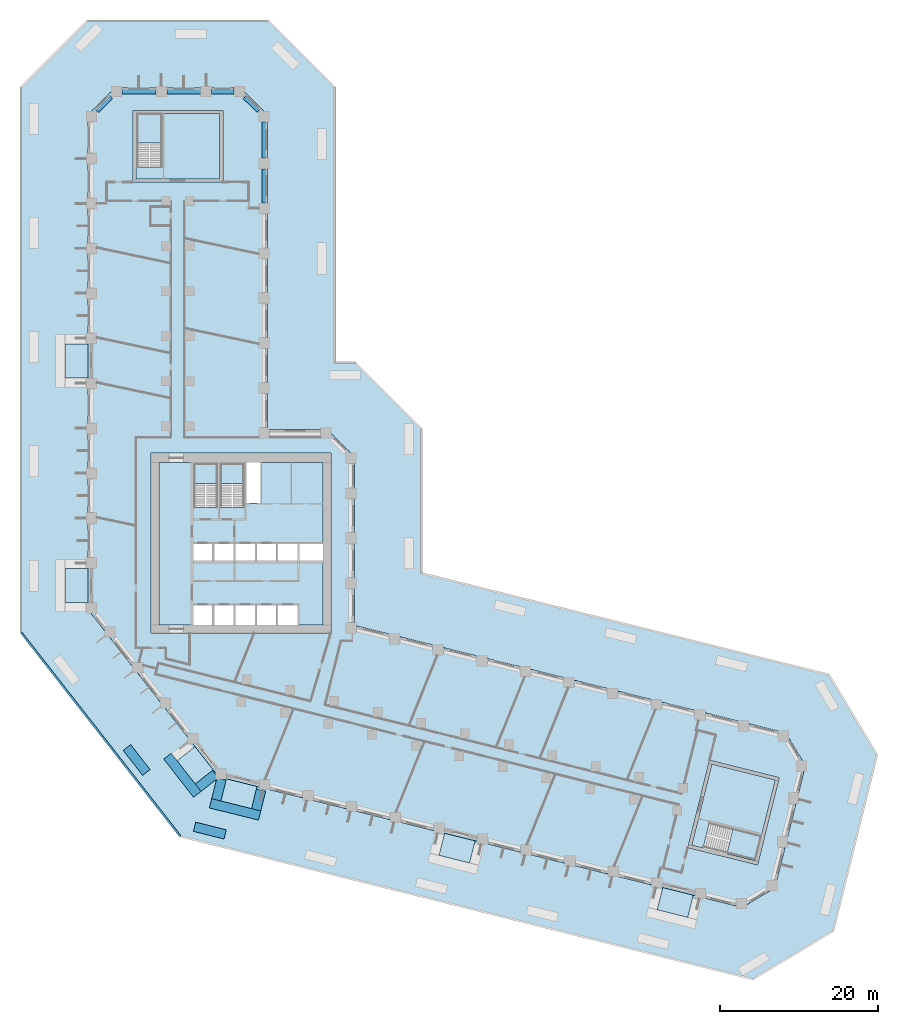
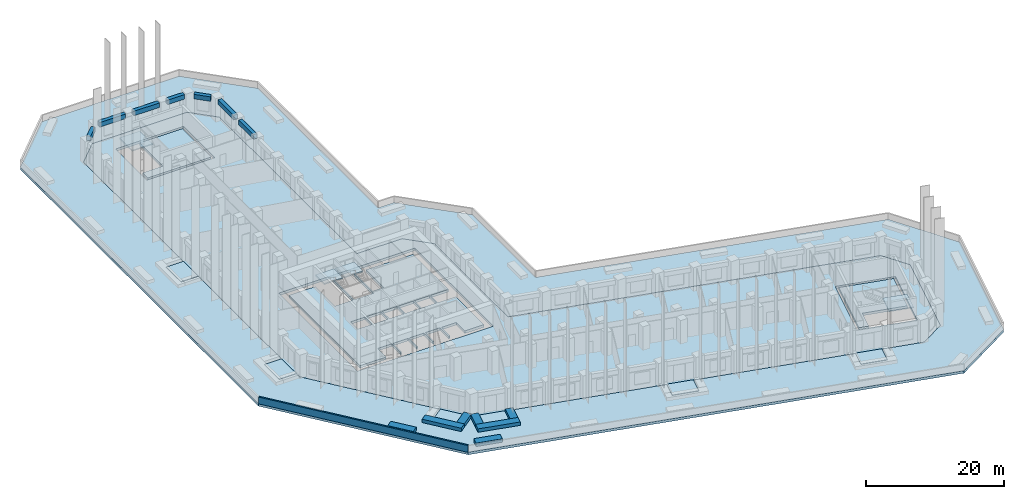
# One storey, part 2 of 13: 15 slabs, 8 walls, 7 beams, 4 elements without a shape of their own.
"""IFC4 building model written with IfcOpenShell, lengths in metres."""

from ifc_helpers import new_model, si_unit, direction, frame, frame_2d, origin, origin_2d, place, context, subcontext, project, spatial, polyline, rectangle, outline, extrude, material, layer, layer_set, material_profile, profile_set, type_object, element, aggregate, save


model = new_model("IFC4")

# Units and contexts
model_context = context("Model", 3, precision=1e-05, world=origin(), true_north=direction((0.0, 1.0)))
body_context = subcontext(model_context, "Body", "Model", "MODEL_VIEW")
ifc_project = project(units=[si_unit("LENGTHUNIT", "METRE"), si_unit("AREAUNIT", "SQUARE_METRE"), si_unit("VOLUMEUNIT", "CUBIC_METRE"), si_unit("PLANEANGLEUNIT", "RADIAN"), si_unit("MASSUNIT", "GRAM", prefix="KILO")], contexts=[model_context])

# Site, building, storey
site_placement = place(None, origin())
site = spatial("IfcSite", under=ifc_project, at=site_placement, CompositionType="ELEMENT")
building_placement = place(site_placement, origin())
building = spatial("IfcBuilding", under=site, at=building_placement, Name="Meshkara Civic Tower", CompositionType="ELEMENT")
storey_placement = place(building_placement, frame((0.0, 0.0, 33.0)))
storey = spatial("IfcBuildingStorey", under=building, at=storey_placement, Name="L06", CompositionType="ELEMENT", Elevation=33.0)

# Beams
ifc_material_1 = material(Name="Concrete C70", Category="concrete")
ifc_material_profile = material_profile(ifc_material_1, rectangle(XDim=0.60009765625, YDim=0.800048828125, at=origin_2d()))
ifc_profile_set = profile_set([ifc_material_profile], Name="Concrete C70")
beam_type = type_object("IfcBeamType", Name="Spandrel beam RC 600x800 C70", PredefinedType="BEAM", material=ifc_profile_set)
beam_1_placement = place(storey_placement, frame((22.35009765625, 68.64501953125, 3.5), z_axis=(0.0, 1.0, 0.0), x_axis=(-1.0, 0.0, 0.0)))
element("IfcBeam", 1, at=beam_1_placement, inside=storey, type_object=beam_type, Name="Spandrel beam AE05-AE06", PredefinedType="BEAM", context=body_context, shape_type="SweptSolid", body=[
    extrude(rectangle(XDim=0.60009765625, YDim=0.800048828125, at=origin_2d()), origin(), (0.0, 0.0, 1.0), 4.31005859375),
])
beam_2_placement = place(storey_placement, frame((22.35009765625, 74.344970703125, 3.5), z_axis=(0.0, 1.0, 0.0), x_axis=(-1.0, 0.0, 0.0)))
element("IfcBeam", 2, at=beam_2_placement, inside=storey, type_object=beam_type, Name="Spandrel beam AE06-AEE", PredefinedType="BEAM", context=body_context, shape_type="SweptSolid", body=[
    extrude(rectangle(XDim=0.60009765625, YDim=0.800048828125, at=origin_2d()), origin(), (0.0, 0.0, 1.0), 4.573974609375),
])
beam_3_placement = place(storey_placement, frame((21.653564453125, 80.310546875, 3.5), z_axis=(-0.707155737934, 0.70705782105, 0.0), x_axis=(-0.70705782105, -0.707155737934, 0.0)))
element("IfcBeam", 3, at=beam_3_placement, inside=storey, type_object=beam_type, Name="Spandrel beam AEE-ATiE", PredefinedType="BEAM", context=body_context, shape_type="SweptSolid", body=[
    extrude(rectangle(XDim=0.60009765625, YDim=0.800048828125, at=origin_2d()), origin(), (0.0, 0.0, 1.0), 2.493408203125),
])
beam_4_placement = place(storey_placement, frame((18.4990234375, 82.77001953125, 3.5), z_axis=(-1.0, 0.0, 0.0), x_axis=(0.0, -1.0, 0.0)))
element("IfcBeam", 4, at=beam_4_placement, inside=storey, type_object=beam_type, Name="Spandrel beam AT02-ATiE", PredefinedType="BEAM", context=body_context, shape_type="SweptSolid", body=[
    extrude(rectangle(XDim=0.60009765625, YDim=0.800048828125, at=origin_2d()), origin(), (0.0, 0.0, 1.0), 2.798095703125),
])
for number, where, z_axis, x_axis, name in (
    (5, (14.31103515625, 82.77001953125, 3.5), (-1.0, 0.0, 0.0), (0.0, -1.0, 0.0), "Spandrel beam AT01-AT02"),
    (6, (8.611083984375, 82.77001953125, 3.5), (-1.0, 0.0, 0.0), (0.0, -1.0, 0.0), "Spandrel beam AT00-AT01"),
):
    element("IfcBeam", number, at=place(storey_placement, frame(where, z_axis=z_axis, x_axis=x_axis)), inside=storey, type_object=beam_type, Name=name, PredefinedType="BEAM", context=body_context, shape_type="SweptSolid", body=[
        extrude(rectangle(XDim=0.60009765625, YDim=0.800048828125, at=origin_2d()), origin(), (0.0, 0.0, 1.0), 4.31005859375),
    ])
beam_5_placement = place(storey_placement, frame((2.909423828125, 82.073486328125, 3.5), z_axis=(-0.707106781187, -0.707106781187, 0.0), x_axis=(0.707106781187, -0.707106781187, 0.0)))
element("IfcBeam", 7, at=beam_5_placement, inside=storey, type_object=beam_type, Name="Spandrel beam AT00-ATo00", PredefinedType="BEAM", context=body_context, shape_type="SweptSolid", body=[
    extrude(rectangle(XDim=0.60009765625, YDim=0.800048828125, at=origin_2d()), origin(), (0.0, 0.0, 1.0), 2.4931640625),
])

# Slabs
ifc_material_2 = material(Name="Concrete C40/50", Category="concrete")
ifc_layer_1 = layer(ifc_material_2, 0.449951171875)
ifc_layer_set_1 = layer_set([ifc_layer_1], Name="Core floor slab 450 C40/50")
slab_type_1 = type_object("IfcSlabType", Name="Core floor slab 450 C40/50", PredefinedType="FLOOR", material=ifc_layer_set_1)
slab_1_placement = place(storey_placement, frame((0.0, 0.0, -0.449951171875)))
element("IfcSlab", 8, at=slab_1_placement, inside=storey, type_object=slab_type_1, Name="Core floor K", PredefinedType="FLOOR", context=body_context, shape_type="SweptSolid", body=[
    extrude(outline(polyline([(9.0, 35.699951171875), (13.39990234375, 35.699951171875), (13.39990234375, 30.00146484375), (16.5, 30.00146484375), (16.5, 35.699951171875), (16.699951171875, 35.699951171875), (16.699951171875, 30.00146484375), (19.89990234375, 30.00146484375), (19.89990234375, 35.699951171875), (20.10009765625, 35.699951171875), (20.10009765625, 30.574951171875), (21.925048828125, 30.574951171875), (21.925048828125, 35.699951171875), (29.800048828125, 35.699951171875), (29.800048828125, 25.39990234375), (26.800048828125, 25.39990234375), (26.800048828125, 23.300048828125), (29.800048828125, 23.300048828125), (29.800048828125, 15.10009765625), (26.60009765625, 15.10009765625), (26.60009765625, 17.60009765625), (24.10009765625, 17.60009765625), (24.10009765625, 15.10009765625), (23.89990234375, 15.10009765625), (23.89990234375, 17.60009765625), (21.39990234375, 17.60009765625), (21.39990234375, 15.10009765625), (21.199951171875, 15.10009765625), (21.199951171875, 17.60009765625), (18.699951171875, 17.60009765625), (18.699951171875, 15.10009765625), (18.5, 15.10009765625), (18.5, 17.60009765625), (16.0, 17.60009765625), (16.0, 15.10009765625), (15.800048828125, 15.10009765625), (15.800048828125, 17.60009765625), (13.39990234375, 17.60009765625), (13.39990234375, 15.10009765625), (9.0, 15.10009765625), (9.0, 35.699951171875)]), holes=[polyline([(13.39990234375, 25.39990234375), (13.39990234375, 23.300048828125), (15.800048828125, 23.300048828125), (15.800048828125, 25.39990234375), (13.39990234375, 25.39990234375)]), polyline([(18.5, 23.300048828125), (18.5, 25.39990234375), (16.0, 25.39990234375), (16.0, 23.300048828125), (18.5, 23.300048828125)]), polyline([(18.699951171875, 25.39990234375), (18.699951171875, 23.300048828125), (21.199951171875, 23.300048828125), (21.199951171875, 25.39990234375), (18.699951171875, 25.39990234375)]), polyline([(23.89990234375, 23.300048828125), (23.89990234375, 25.39990234375), (21.39990234375, 25.39990234375), (21.39990234375, 23.300048828125), (23.89990234375, 23.300048828125)]), polyline([(26.60009765625, 23.300048828125), (26.60009765625, 25.39990234375), (24.10009765625, 25.39990234375), (24.10009765625, 23.300048828125), (26.60009765625, 23.300048828125)])]), origin(), (0.0, 0.0, 1.0), 0.449951171875),
])
slab_2_placement = place(storey_placement, frame((0.0, 0.0, -0.449951171875)))
element("IfcSlab", 9, at=slab_2_placement, inside=storey, type_object=slab_type_1, Name="Core floor EA", PredefinedType="FLOOR", context=body_context, shape_type="SweptSolid", body=[
    extrude(outline(polyline([(16.699951171875, 71.669921875), (16.699951171875, 79.969970703125), (9.5, 79.969970703125), (9.5, 73.17138671875), (6.10009765625, 73.17138671875), (6.10009765625, 71.669921875), (16.699951171875, 71.669921875)])), origin(), (0.0, 0.0, 1.0), 0.449951171875),
])
slab_3_placement = place(storey_placement, frame((0.0, 0.0, -0.449951171875)))
element("IfcSlab", 10, at=slab_3_placement, inside=storey, type_object=slab_type_1, Name="Core floor EB", PredefinedType="FLOOR", context=body_context, shape_type="SweptSolid", body=[
    extrude(outline(polyline([(79.11181640625, -2.513671875), (87.165283203125, -4.521484375), (85.423583984375, -11.507568359375), (78.826904296875, -9.863037109375), (78.00439453125, -13.161865234375), (76.547607421875, -12.798583984375), (79.11181640625, -2.513671875)])), origin(), (0.0, 0.0, 1.0), 0.449951171875),
])

# Stair, slab
ifc_material_3 = material(Name="Precast concrete C40/50", Category="concrete")
stair_type_1 = type_object("IfcStairType", Name="Exit stair half-turn 24 risers precast", PredefinedType="HALF_TURN_STAIR", material=ifc_material_3)
stair_1_placement = place(storey_placement, origin())
stair_1 = element("IfcStair", 11, at=stair_1_placement, inside=storey, type_object=stair_type_1, Name="L06 exit stair 1", PredefinedType="HALF_TURN_STAIR")
ifc_material_4 = material(Name="Precast concrete C40/50", Category="concrete")
ifc_layer_2 = layer(ifc_material_4, 0.199951171875)
ifc_layer_set_2 = layer_set([ifc_layer_2], Name="Exit stair landing 200")
slab_type_2 = type_object("IfcSlabType", Name="Exit stair landing 200", PredefinedType="LANDING", material=ifc_layer_set_2)
slab_4_placement = place(storey_placement, frame((0.0, 0.0, 1.89990234375)))
slab_4 = element("IfcSlab", 12, at=slab_4_placement, type_object=slab_type_2, Name="ST1 landing 1", PredefinedType="LANDING", context=body_context, shape_type="SweptSolid", body=[
    extrude(outline(polyline([(16.5, 33.07861328125), (16.5, 35.699951171875), (13.39990234375, 35.699951171875), (13.39990234375, 33.07861328125), (16.5, 33.07861328125)])), origin(), (0.0, 0.0, 1.0), 0.2001953125),
])
aggregate(stair_1, [slab_4])

stair_2_placement = place(storey_placement, origin())
stair_2 = element("IfcStair", 13, at=stair_2_placement, inside=storey, type_object=stair_type_1, Name="L06 exit stair 2", PredefinedType="HALF_TURN_STAIR")
slab_5_placement = place(storey_placement, frame((0.0, 0.0, 1.89990234375)))
slab_5 = element("IfcSlab", 14, at=slab_5_placement, type_object=slab_type_2, Name="ST2 landing 1", PredefinedType="LANDING", context=body_context, shape_type="SweptSolid", body=[
    extrude(outline(polyline([(19.89990234375, 33.07861328125), (19.89990234375, 35.699951171875), (16.699951171875, 35.699951171875), (16.699951171875, 33.07861328125), (19.89990234375, 33.07861328125)])), origin(), (0.0, 0.0, 1.0), 0.2001953125),
])
aggregate(stair_2, [slab_5])

ifc_material_5 = material(Name="Precast concrete C40/50", Category="concrete")
stair_type_2 = type_object("IfcStairType", Name="Exit stair half-turn 24 risers 1500 precast", PredefinedType="HALF_TURN_STAIR", material=ifc_material_5)
stair_3_placement = place(storey_placement, origin())
stair_3 = element("IfcStair", 15, at=stair_3_placement, inside=storey, type_object=stair_type_2, Name="L06 exit stair A from B2", PredefinedType="HALF_TURN_STAIR")
slab_6_placement = place(storey_placement, frame((0.0, 0.0, 1.89990234375)))
slab_6 = element("IfcSlab", 16, at=slab_6_placement, type_object=slab_type_2, Name="ESA1 landing 1", PredefinedType="LANDING", context=body_context, shape_type="SweptSolid", body=[
    extrude(outline(polyline([(9.5, 76.24853515625), (9.5, 79.969970703125), (6.10009765625, 79.969970703125), (6.10009765625, 76.24853515625), (9.5, 76.24853515625)])), origin(), (0.0, 0.0, 1.0), 0.2001953125),
])
aggregate(stair_3, [slab_6])

stair_4_placement = place(storey_placement, origin())
stair_4 = element("IfcStair", 17, at=stair_4_placement, inside=storey, type_object=stair_type_2, Name="L06 exit stair B from B2", PredefinedType="HALF_TURN_STAIR")
slab_7_placement = place(storey_placement, frame((0.0, 0.0, 1.89990234375)))
slab_7 = element("IfcSlab", 18, at=slab_7_placement, type_object=slab_type_2, Name="ESB1 landing 1", PredefinedType="LANDING", context=body_context, shape_type="SweptSolid", body=[
    extrude(outline(polyline([(80.98974609375, -13.9072265625), (84.600830078125, -14.80810546875), (85.424072265625, -11.50830078125), (81.81298828125, -10.607421875), (80.98974609375, -13.9072265625)])), origin(), (0.0, 0.0, 1.0), 0.2001953125),
])
aggregate(stair_4, [slab_7])

# Slabs
ifc_material_6 = material(Name="Concrete C50", Category="concrete")
ifc_layer_3 = layer(ifc_material_6, 0.449951171875)
ifc_layer_set_3 = layer_set([ifc_layer_3], Name="Green roof slab 450 C50")
slab_type_3 = type_object("IfcSlabType", Name="Green roof slab 450 C50", PredefinedType="ROOF", material=ifc_layer_set_3)
slab_8_placement = place(storey_placement, frame((0.0, 0.0, -0.449951171875)))
element("IfcSlab", 19, at=slab_8_placement, inside=storey, type_object=slab_type_3, Name="Green roof slab L06", PredefinedType="ROOF", context=body_context, shape_type="SweptSolid", body=[
    extrude(outline(polyline([(33.922119140625, 48.449951171875), (42.35009765625, 40.02197265625), (42.35009765625, 21.7509765625), (93.97998046875, 8.876953125), (100.1201171875, -1.339111328125), (94.544921875, -23.697998046875), (84.327880859375, -29.8369140625), (11.6669921875, -11.720947265625), (-8.550048828125, 14.156005859375), (-8.550048828125, 83.342041015625), (-0.1220703125, 91.77001953125), (22.922119140625, 91.77001953125), (31.35009765625, 83.342041015625), (31.35009765625, 48.449951171875), (33.922119140625, 48.449951171875)]), holes=[polyline([(30.3798828125, 39.89990234375), (22.800048828125, 39.89990234375), (22.800048828125, 79.800048828125), (19.3798828125, 83.219970703125), (3.419921875, 83.219970703125), (0.0, 79.800048828125), (0.0, 17.10009765625), (16.592041015625, -4.136962890625), (82.9599609375, -20.68408203125), (87.10595703125, -18.193115234375), (90.967041015625, -2.70703125), (88.47607421875, 1.43798828125), (33.800048828125, 15.071044921875), (33.800048828125, 36.47998046875), (30.3798828125, 39.89990234375)])]), origin(), (0.0, 0.0, 1.0), 0.449951171875),
])
ifc_material_7 = material(Name="Concrete C50", Category="concrete")
ifc_layer_4 = layer(ifc_material_7, 0.449951171875)
ifc_layer_set_4 = layer_set([ifc_layer_4], Name="Post-tensioned flat slab 450 C50")
slab_type_4 = type_object("IfcSlabType", Name="Post-tensioned flat slab 450 C50", PredefinedType="FLOOR", material=ifc_layer_set_4)
slab_9_placement = place(storey_placement, frame((0.0, 0.0, -0.449951171875)))
element("IfcSlab", 20, at=slab_9_placement, inside=storey, type_object=slab_type_4, Name="Post-tensioned flat slab L06", PredefinedType="FLOOR", context=body_context, shape_type="SweptSolid", body=[
    extrude(outline(polyline([(87.10595703125, -18.193115234375), (82.9599609375, -20.68408203125), (16.592041015625, -4.136962890625), (0.0, 17.10009765625), (0.0, 79.800048828125), (3.419921875, 83.219970703125), (19.3798828125, 83.219970703125), (22.800048828125, 79.800048828125), (22.800048828125, 39.89990234375), (30.3798828125, 39.89990234375), (33.800048828125, 36.47998046875), (33.800048828125, 15.071044921875), (88.47607421875, 1.43798828125), (90.967041015625, -2.70703125), (87.10595703125, -18.193115234375)]), holes=[polyline([(84.89208984375, -15.2919921875), (87.64990234375, -4.22998046875), (78.821044921875, -2.029052734375), (76.06298828125, -13.090087890625), (84.89208984375, -15.2919921875)]), polyline([(8.0, 14.10009765625), (30.800048828125, 14.10009765625), (30.800048828125, 36.89990234375), (8.0, 36.89990234375), (8.0, 14.10009765625)]), polyline([(5.699951171875, 80.3701171875), (5.699951171875, 71.27001953125), (17.10009765625, 71.27001953125), (17.10009765625, 80.3701171875), (5.699951171875, 80.3701171875)])]), origin(), (0.0, 0.0, 1.0), 0.449951171875),
])
ifc_material_8 = material(Name="Granite paving on pedestals", Category="masonry")
ifc_layer_5 = layer(ifc_material_8, 0.06005859375)
ifc_layer_set_5 = layer_set([ifc_layer_5], Name="TERRACE PAVING 60")
slab_type_5 = type_object("IfcSlabType", Name="TERRACE PAVING 60", PredefinedType="ROOF", material=ifc_layer_set_5)
slab_10_placement = place(storey_placement, origin())
element("IfcSlab", 21, at=slab_10_placement, inside=storey, type_object=slab_type_5, Name="Terrace slab L06 paved pocket", PredefinedType="ROOF", context=body_context, shape_type="SweptSolid", body=[
    extrude(outline(polyline([(-2.89990234375, 17.955078125), (-2.89990234375, 22.2548828125), (0.0, 22.2548828125), (0.0, 17.955078125), (-2.89990234375, 17.955078125)])), origin(), (0.0, 0.0, 1.0), 0.06005859375),
])
slab_11_placement = place(storey_placement, origin())
element("IfcSlab", 22, at=slab_11_placement, inside=storey, type_object=slab_type_5, Name="Terrace slab L06 paved pocket", PredefinedType="ROOF", context=body_context, shape_type="SweptSolid", body=[
    extrude(outline(polyline([(-2.89990234375, 46.455078125), (-2.89990234375, 50.7548828125), (0.0, 50.7548828125), (0.0, 46.455078125), (-2.89990234375, 46.455078125)])), origin(), (0.0, 0.0, 1.0), 0.06005859375),
])
slab_12_placement = place(storey_placement, origin())
element("IfcSlab", 23, at=slab_12_placement, inside=storey, type_object=slab_type_5, Name="Terrace slab L06 paved pocket", PredefinedType="ROOF", context=body_context, shape_type="SweptSolid", body=[
    extrude(outline(polyline([(20.748291015625, -8.162109375), (16.864013671875, -7.193603515625), (17.5654296875, -4.379638671875), (21.44970703125, -5.34814453125), (20.748291015625, -8.162109375)])), origin(), (0.0, 0.0, 1.0), 0.06005859375),
])
slab_13_placement = place(storey_placement, origin())
element("IfcSlab", 24, at=slab_13_placement, inside=storey, type_object=slab_type_5, Name="Terrace slab L06 paved pocket", PredefinedType="ROOF", context=body_context, shape_type="SweptSolid", body=[
    extrude(outline(polyline([(76.05517578125, -21.951416015625), (72.1708984375, -20.98291015625), (72.87255859375, -18.1689453125), (76.7568359375, -19.137451171875), (76.05517578125, -21.951416015625)])), origin(), (0.0, 0.0, 1.0), 0.06005859375),
])
slab_14_placement = place(storey_placement, origin())
element("IfcSlab", 25, at=slab_14_placement, inside=storey, type_object=slab_type_5, Name="Terrace slab L06 paved pocket", PredefinedType="ROOF", context=body_context, shape_type="SweptSolid", body=[
    extrude(outline(polyline([(48.401123046875, -15.056396484375), (44.517822265625, -14.08837890625), (45.219482421875, -11.2744140625), (49.102783203125, -12.24267578125), (48.401123046875, -15.056396484375)])), origin(), (0.0, 0.0, 1.0), 0.06005859375),
])
slab_15_placement = place(storey_placement, origin())
element("IfcSlab", 26, at=slab_15_placement, inside=storey, type_object=slab_type_5, Name="Terrace slab L06 paved pocket", PredefinedType="ROOF", context=body_context, shape_type="SweptSolid", body=[
    extrude(outline(polyline([(13.6064453125, -5.02587890625), (11.306884765625, -2.082763671875), (13.59228515625, -0.29736328125), (15.8916015625, -3.240478515625), (13.6064453125, -5.02587890625)])), origin(), (0.0, 0.0, 1.0), 0.06005859375),
])

# Walls
ifc_material_9 = material(Name="Concrete C40", Category="concrete")
ifc_layer_6 = layer(ifc_material_9, 1.199951171875)
ifc_layer_set_6 = layer_set([ifc_layer_6], Name="PLANTING BED")
wall_type_1 = type_object("IfcWallType", Name="PLANTING BED", PredefinedType="SOLIDWALL", material=ifc_layer_set_6)
for number, where, z_axis, x_axis, name in (
    (27, (17.39990234375, -11.428955078125, 0.0), (0.0, 0.0, 1.0), (-0.970328930379, 0.241788682262, 0.0), "Planting bed"),
    (28, (7.416015625, -3.568115234375, 0.0), (0.0, 0.0, 1.0), (-0.615540980843, 0.78810487938, 0.0), "Planting bed"),
):
    element("IfcWall", number, at=place(storey_placement, frame(where, z_axis=z_axis, x_axis=x_axis)), inside=storey, type_object=wall_type_1, Name=name, PredefinedType="SOLIDWALL", context=body_context, shape_type="SweptSolid", body=[
        extrude(rectangle(XDim=3.99951171875, YDim=1.199951171875, at=frame_2d((1.999755859375, 0.0))), origin(), (0.0, 0.0, 1.0), 0.60009765625),
    ])
wall_1_placement = place(storey_placement, frame((10.094970703125, -1.507080078125, 0.0), z_axis=(0.0, 0.0, 1.0), x_axis=(0.615699645246, -0.787980930507, 0.0)))
element("IfcWall", 29, at=wall_1_placement, inside=storey, type_object=wall_type_1, Name="Planting bed", PredefinedType="SOLIDWALL", context=body_context, shape_type="SweptSolid", body=[
    extrude(rectangle(XDim=6.134765625, YDim=1.199951171875, at=frame_2d((3.0673828125, 0.0))), origin(), (0.0, 0.0, 1.0), 0.60009765625),
])
wall_2_placement = place(storey_placement, frame((16.15087890625, -3.800048828125, 0.0), z_axis=(0.0, 0.0, 1.0), x_axis=(-0.788040467637, -0.615623441209, 0.0)))
element("IfcWall", 30, at=wall_2_placement, inside=storey, type_object=wall_type_1, Name="Planting bed", PredefinedType="SOLIDWALL", context=body_context, shape_type="SweptSolid", body=[
    extrude(rectangle(XDim=2.759765625, YDim=1.199951171875, at=frame_2d((1.3798828125, 0.0))), origin(), (0.0, 0.0, 1.0), 0.60009765625),
])
wall_3_placement = place(storey_placement, frame((15.553955078125, -7.485107421875, 0.0), z_axis=(0.0, 0.0, 1.0), x_axis=(0.970270199838, -0.242024253549, 0.0)))
element("IfcWall", 31, at=wall_3_placement, inside=storey, type_object=wall_type_1, Name="Planting bed", PredefinedType="SOLIDWALL", context=body_context, shape_type="SweptSolid", body=[
    extrude(rectangle(XDim=6.403564453125, YDim=1.199951171875, at=frame_2d((3.20166015625, 0.0))), origin(), (0.0, 0.0, 1.0), 0.60009765625),
])
wall_4_placement = place(storey_placement, frame((16.93310546875, -4.43798828125, 0.0), z_axis=(0.0, 0.0, 1.0), x_axis=(-0.242044447499, -0.970265162435, 0.0)))
element("IfcWall", 32, at=wall_4_placement, inside=storey, type_object=wall_type_1, Name="Planting bed", PredefinedType="SOLIDWALL", context=body_context, shape_type="SweptSolid", body=[
    extrude(rectangle(XDim=2.690185546875, YDim=1.199951171875, at=frame_2d((1.34521484375, 0.0))), origin(), (0.0, 0.0, 1.0), 0.60009765625),
])
wall_5_placement = place(storey_placement, frame((21.950927734375, -5.81689453125, 0.0), z_axis=(0.0, 0.0, 1.0), x_axis=(-0.241931183719, -0.970293410441, 0.0)))
element("IfcWall", 33, at=wall_5_placement, inside=storey, type_object=wall_type_1, Name="Planting bed", PredefinedType="SOLIDWALL", context=body_context, shape_type="SweptSolid", body=[
    extrude(rectangle(XDim=2.566162109375, YDim=1.199951171875, at=frame_2d((1.283203125, 0.0))), origin(), (0.0, 0.0, 1.0), 0.60009765625),
])
ifc_material_10 = material(Name="Concrete C40", Category="concrete")
ifc_layer_7 = layer(ifc_material_10, 0.25)
ifc_layer_set_7 = layer_set([ifc_layer_7], Name="ROOF PARAPET 250")
wall_type_2 = type_object("IfcWallType", Name="ROOF PARAPET 250", PredefinedType="PARAPET", material=ifc_layer_set_7)
wall_6_placement = place(storey_placement, frame((11.70703125, -11.658935546875, 0.0), z_axis=(0.0, 0.0, 1.0), x_axis=(-0.61565155533, 0.788018503856, 0.0)))
element("IfcWall", 34, at=wall_6_placement, inside=storey, type_object=wall_type_2, Name="Roof parapet", PredefinedType="PARAPET", context=body_context, shape_type="SweptSolid", body=[
    extrude(rectangle(XDim=32.78955078125, YDim=0.25, at=frame_2d((16.394775390625, 0.0))), origin(), (0.0, 0.0, 1.0), 1.199951171875),
])

save(model, "model.ifc")
